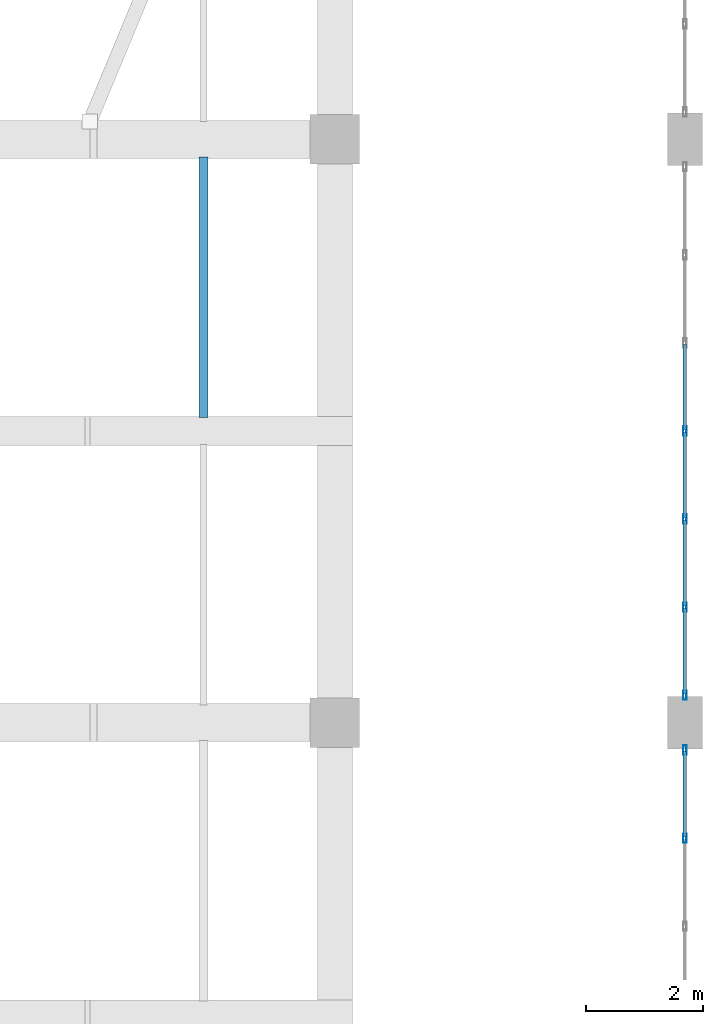
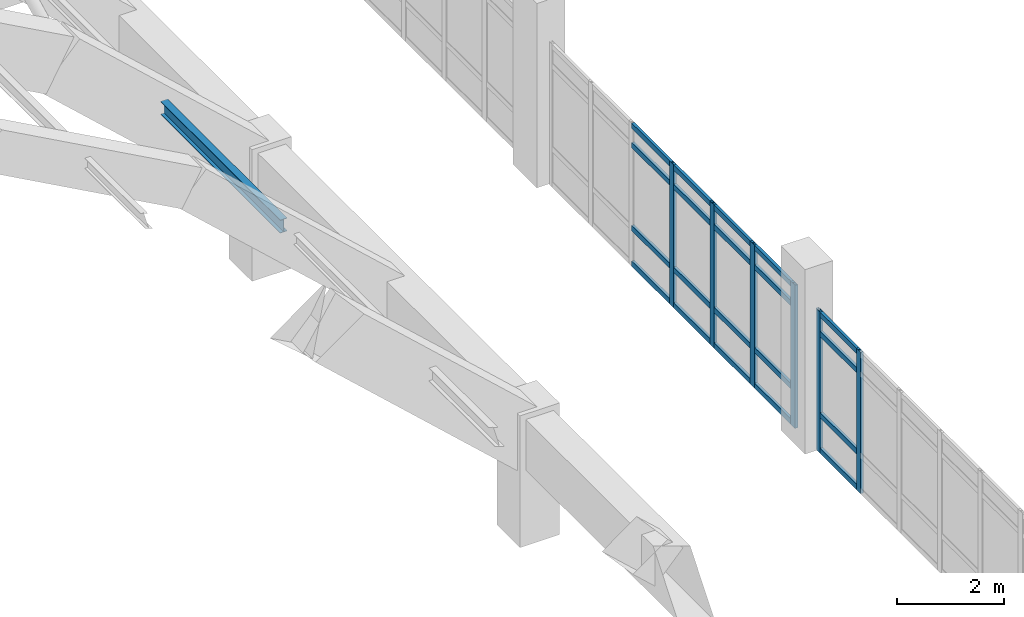
# One storey, part 81 of 111: 27 members, 2 elements without a shape of their own.
"""IFC4 building model written with IfcOpenShell, lengths in metres."""

from ifc_helpers import new_model, si_unit, direction, frame, origin, origin_2d, place, context, subcontext, project, spatial, hollow_rectangle, i_section, extrude, material, layer, layer_set, material_profile, profile_set, type_object, element, aggregate, save


model = new_model("IFC4")

# Units and contexts
model_context = context("Model", 3, precision=1e-05, world=origin(), true_north=direction((0.0, 1.0)))
body_context = subcontext(model_context, "Body", "Model", "MODEL_VIEW")
ifc_project = project(units=[si_unit("LENGTHUNIT", "METRE"), si_unit("AREAUNIT", "SQUARE_METRE"), si_unit("VOLUMEUNIT", "CUBIC_METRE"), si_unit("PLANEANGLEUNIT", "RADIAN"), si_unit("MASSUNIT", "GRAM", prefix="KILO")], contexts=[model_context])

# Site, building, storey
site_placement = place(None, origin())
site = spatial("IfcSite", under=ifc_project, at=site_placement, CompositionType="ELEMENT")
building_placement = place(site_placement, origin())
building = spatial("IfcBuilding", under=site, at=building_placement, Name="Mersad Railyard Sports Hall", CompositionType="ELEMENT")
storey_placement = place(building_placement, frame((0.0, 0.0, 9.0)))
storey = spatial("IfcBuildingStorey", under=building, at=storey_placement, Name="L02", CompositionType="ELEMENT", Elevation=9.0)

# Curtain wall, members
ifc_material_1 = material(Name="Aluminium 6063-T6", Category="aluminium")
ifc_layer_1 = layer(ifc_material_1, 0.159912109375)
ifc_layer_set_1 = layer_set([ifc_layer_1], Name="Aluminium 6063-T6")
curtain_wall_type_1 = type_object("IfcCurtainWallType", Name="ARC-CW-CW15", PredefinedType="USERDEFINED", material=ifc_layer_set_1)
curtain_wall_1_placement = place(storey_placement, origin())
curtain_wall_1 = element("IfcCurtainWall", 1, at=curtain_wall_1_placement, inside=storey, type_object=curtain_wall_type_1, Name="Curtain wall CW15-0053", ObjectType="CURTAIN WALL", PredefinedType="USERDEFINED")
ifc_material_profile_1 = material_profile(ifc_material_1, hollow_rectangle(XDim=0.06005859375, YDim=0.159912109375, WallThickness=0.00390625, at=origin_2d()), Name="AL MULLION 60x160x4")
ifc_profile_set_1 = profile_set([ifc_material_profile_1], Name="Aluminium 6063-T6")
member_type_1 = type_object("IfcMemberType", Name="ARC-CW-MUL01", PredefinedType="MULLION", material=ifc_profile_set_1)
member_1_placement = place(storey_placement, frame((179.0, 53.030029296875, -0.02001953125), z_axis=(0.0, 0.0, 1.0), x_axis=(1.0, 0.0, 0.0)))
member_1 = element("IfcMember", 2, at=member_1_placement, type_object=member_type_1, Name="CW15 Mullion 1", PredefinedType="MULLION", context=body_context, shape_type="SweptSolid", body=[
    extrude(hollow_rectangle(XDim=0.06005859375, YDim=0.159912109375, WallThickness=0.00390625, at=origin_2d()), origin(), (0.0, 0.0, 1.0), 3.219970703125),
])
member_2_placement = place(storey_placement, frame((179.0, 51.52001953125, -0.02001953125), z_axis=(0.0, 0.0, 1.0), x_axis=(1.0, 0.0, 0.0)))
member_2 = element("IfcMember", 3, at=member_2_placement, type_object=member_type_1, Name="CW15 Mullion 2", PredefinedType="MULLION", context=body_context, shape_type="SweptSolid", body=[
    extrude(hollow_rectangle(XDim=0.06005859375, YDim=0.159912109375, WallThickness=0.00390625, at=origin_2d()), origin(), (0.0, 0.0, 1.0), 3.219970703125),
])

ifc_layer_2 = layer(ifc_material_1, 0.159912109375)
ifc_layer_set_2 = layer_set([ifc_layer_2], Name="Aluminium 6063-T6")
curtain_wall_type_2 = type_object("IfcCurtainWallType", Name="ARC-CW-CW16", PredefinedType="USERDEFINED", material=ifc_layer_set_2)
curtain_wall_2_placement = place(storey_placement, origin())
curtain_wall_2 = element("IfcCurtainWall", 4, at=curtain_wall_2_placement, inside=storey, type_object=curtain_wall_type_2, Name="Curtain wall CW16-0055", ObjectType="CURTAIN WALL", PredefinedType="USERDEFINED")
member_3_placement = place(storey_placement, frame((179.0, 58.5, -0.02001953125), z_axis=(0.0, 0.0, 1.0), x_axis=(1.0, 0.0, 0.0)))
member_3 = element("IfcMember", 5, at=member_3_placement, type_object=member_type_1, Name="CW16 Mullion 4", PredefinedType="MULLION", context=body_context, shape_type="SweptSolid", body=[
    extrude(hollow_rectangle(XDim=0.06005859375, YDim=0.159912109375, WallThickness=0.00390625, at=origin_2d()), origin(), (0.0, 0.0, 1.0), 3.260009765625),
])
member_4_placement = place(storey_placement, frame((179.0, 56.989990234375, -0.02001953125), z_axis=(0.0, 0.0, 1.0), x_axis=(1.0, 0.0, 0.0)))
member_4 = element("IfcMember", 6, at=member_4_placement, type_object=member_type_1, Name="CW16 Mullion 5", PredefinedType="MULLION", context=body_context, shape_type="SweptSolid", body=[
    extrude(hollow_rectangle(XDim=0.06005859375, YDim=0.159912109375, WallThickness=0.00390625, at=origin_2d()), origin(), (0.0, 0.0, 1.0), 3.260009765625),
])
member_5_placement = place(storey_placement, frame((179.0, 55.47998046875, -0.02001953125), z_axis=(0.0, 0.0, 1.0), x_axis=(1.0, 0.0, 0.0)))
member_5 = element("IfcMember", 7, at=member_5_placement, type_object=member_type_1, Name="CW16 Mullion 6", PredefinedType="MULLION", context=body_context, shape_type="SweptSolid", body=[
    extrude(hollow_rectangle(XDim=0.06005859375, YDim=0.159912109375, WallThickness=0.00390625, at=origin_2d()), origin(), (0.0, 0.0, 1.0), 3.260009765625),
])
member_6_placement = place(storey_placement, frame((179.0, 53.969970703125, -0.02001953125), z_axis=(0.0, 0.0, 1.0), x_axis=(1.0, 0.0, 0.0)))
member_6 = element("IfcMember", 8, at=member_6_placement, type_object=member_type_1, Name="CW16 Mullion 7", PredefinedType="MULLION", context=body_context, shape_type="SweptSolid", body=[
    extrude(hollow_rectangle(XDim=0.06005859375, YDim=0.159912109375, WallThickness=0.00390625, at=origin_2d()), origin(), (0.0, 0.0, 1.0), 3.260009765625),
])

# Member
ifc_material_profile_2 = material_profile(ifc_material_1, hollow_rectangle(XDim=0.06005859375, YDim=0.1201171875, WallThickness=0.00390625, at=origin_2d()), Name="AL TRANSOM 60x120x4")
ifc_profile_set_2 = profile_set([ifc_material_profile_2], Name="Aluminium 6063-T6")
member_type_2 = type_object("IfcMemberType", Name="ARC-CW-TRN01", PredefinedType="USERDEFINED", material=ifc_profile_set_2)
member_7_placement = place(storey_placement, frame((179.0, 53.010009765625, 0.0400390625), z_axis=(0.0, -1.0, 0.0), x_axis=(1.0, 0.0, 0.0)))
member_7 = element("IfcMember", 9, at=member_7_placement, type_object=member_type_2, Name="CW15 Transom 1-1", ObjectType="TRANSOM", PredefinedType="USERDEFINED", context=body_context, shape_type="SweptSolid", body=[
    extrude(hollow_rectangle(XDim=0.06005859375, YDim=0.1201171875, WallThickness=0.00390625, at=origin_2d()), origin(), (0.0, 0.0, 1.0), 1.469970703125),
])

member_8_placement = place(storey_placement, frame((179.0, 53.010009765625, 0.85009765625), z_axis=(0.0, -1.0, 0.0), x_axis=(1.0, 0.0, 0.0)))
member_8 = element("IfcMember", 10, at=member_8_placement, type_object=member_type_2, Name="CW15 Transom 2-1", ObjectType="TRANSOM", PredefinedType="USERDEFINED", context=body_context, shape_type="SweptSolid", body=[
    extrude(hollow_rectangle(XDim=0.06005859375, YDim=0.1201171875, WallThickness=0.00390625, at=origin_2d()), origin(), (0.0, 0.0, 1.0), 1.469970703125),
])

member_9_placement = place(storey_placement, frame((179.0, 53.010009765625, 2.699951171875), z_axis=(0.0, -1.0, 0.0), x_axis=(1.0, 0.0, 0.0)))
member_9 = element("IfcMember", 11, at=member_9_placement, type_object=member_type_2, Name="CW15 Transom 3-1", ObjectType="TRANSOM", PredefinedType="USERDEFINED", context=body_context, shape_type="SweptSolid", body=[
    extrude(hollow_rectangle(XDim=0.06005859375, YDim=0.1201171875, WallThickness=0.00390625, at=origin_2d()), origin(), (0.0, 0.0, 1.0), 1.469970703125),
])

member_10_placement = place(storey_placement, frame((179.0, 53.010009765625, 3.139892578125), z_axis=(0.0, -1.0, 0.0), x_axis=(1.0, 0.0, 0.0)))
member_10 = element("IfcMember", 12, at=member_10_placement, type_object=member_type_2, Name="CW15 Transom 4-1", ObjectType="TRANSOM", PredefinedType="USERDEFINED", context=body_context, shape_type="SweptSolid", body=[
    extrude(hollow_rectangle(XDim=0.06005859375, YDim=0.1201171875, WallThickness=0.00390625, at=origin_2d()), origin(), (0.0, 0.0, 1.0), 1.469970703125),
])

aggregate(curtain_wall_1, [member_1, member_2, member_7, member_8, member_9, member_10])

member_11_placement = place(storey_placement, frame((179.0, 59.989990234375, 0.0400390625), z_axis=(0.0, -1.0, 0.0), x_axis=(1.0, 0.0, 0.0)))
member_11 = element("IfcMember", 13, at=member_11_placement, type_object=member_type_2, Name="CW16 Transom 1-3", ObjectType="TRANSOM", PredefinedType="USERDEFINED", context=body_context, shape_type="SweptSolid", body=[
    extrude(hollow_rectangle(XDim=0.06005859375, YDim=0.1201171875, WallThickness=0.00390625, at=origin_2d()), origin(), (0.0, 0.0, 1.0), 1.469970703125),
])

member_12_placement = place(storey_placement, frame((179.0, 58.47998046875, 0.0400390625), z_axis=(0.0, -1.0, 0.0), x_axis=(1.0, 0.0, 0.0)))
member_12 = element("IfcMember", 14, at=member_12_placement, type_object=member_type_2, Name="CW16 Transom 1-4", ObjectType="TRANSOM", PredefinedType="USERDEFINED", context=body_context, shape_type="SweptSolid", body=[
    extrude(hollow_rectangle(XDim=0.06005859375, YDim=0.1201171875, WallThickness=0.00390625, at=origin_2d()), origin(), (0.0, 0.0, 1.0), 1.469970703125),
])

member_13_placement = place(storey_placement, frame((179.0, 56.969970703125, 0.0400390625), z_axis=(0.0, -1.0, 0.0), x_axis=(1.0, 0.0, 0.0)))
member_13 = element("IfcMember", 15, at=member_13_placement, type_object=member_type_2, Name="CW16 Transom 1-5", ObjectType="TRANSOM", PredefinedType="USERDEFINED", context=body_context, shape_type="SweptSolid", body=[
    extrude(hollow_rectangle(XDim=0.06005859375, YDim=0.1201171875, WallThickness=0.00390625, at=origin_2d()), origin(), (0.0, 0.0, 1.0), 1.469970703125),
])

member_14_placement = place(storey_placement, frame((179.0, 55.4599609375, 0.0400390625), z_axis=(0.0, -1.0, 0.0), x_axis=(1.0, 0.0, 0.0)))
member_14 = element("IfcMember", 16, at=member_14_placement, type_object=member_type_2, Name="CW16 Transom 1-6", ObjectType="TRANSOM", PredefinedType="USERDEFINED", context=body_context, shape_type="SweptSolid", body=[
    extrude(hollow_rectangle(XDim=0.06005859375, YDim=0.1201171875, WallThickness=0.00390625, at=origin_2d()), origin(), (0.0, 0.0, 1.0), 1.469970703125),
])

member_15_placement = place(storey_placement, frame((179.0, 59.989990234375, 0.85009765625), z_axis=(0.0, -1.0, 0.0), x_axis=(1.0, 0.0, 0.0)))
member_15 = element("IfcMember", 17, at=member_15_placement, type_object=member_type_2, Name="CW16 Transom 2-3", ObjectType="TRANSOM", PredefinedType="USERDEFINED", context=body_context, shape_type="SweptSolid", body=[
    extrude(hollow_rectangle(XDim=0.06005859375, YDim=0.1201171875, WallThickness=0.00390625, at=origin_2d()), origin(), (0.0, 0.0, 1.0), 1.469970703125),
])

member_16_placement = place(storey_placement, frame((179.0, 58.47998046875, 0.85009765625), z_axis=(0.0, -1.0, 0.0), x_axis=(1.0, 0.0, 0.0)))
member_16 = element("IfcMember", 18, at=member_16_placement, type_object=member_type_2, Name="CW16 Transom 2-4", ObjectType="TRANSOM", PredefinedType="USERDEFINED", context=body_context, shape_type="SweptSolid", body=[
    extrude(hollow_rectangle(XDim=0.06005859375, YDim=0.1201171875, WallThickness=0.00390625, at=origin_2d()), origin(), (0.0, 0.0, 1.0), 1.469970703125),
])

member_17_placement = place(storey_placement, frame((179.0, 56.969970703125, 0.85009765625), z_axis=(0.0, -1.0, 0.0), x_axis=(1.0, 0.0, 0.0)))
member_17 = element("IfcMember", 19, at=member_17_placement, type_object=member_type_2, Name="CW16 Transom 2-5", ObjectType="TRANSOM", PredefinedType="USERDEFINED", context=body_context, shape_type="SweptSolid", body=[
    extrude(hollow_rectangle(XDim=0.06005859375, YDim=0.1201171875, WallThickness=0.00390625, at=origin_2d()), origin(), (0.0, 0.0, 1.0), 1.469970703125),
])

member_18_placement = place(storey_placement, frame((179.0, 55.4599609375, 0.85009765625), z_axis=(0.0, -1.0, 0.0), x_axis=(1.0, 0.0, 0.0)))
member_18 = element("IfcMember", 20, at=member_18_placement, type_object=member_type_2, Name="CW16 Transom 2-6", ObjectType="TRANSOM", PredefinedType="USERDEFINED", context=body_context, shape_type="SweptSolid", body=[
    extrude(hollow_rectangle(XDim=0.06005859375, YDim=0.1201171875, WallThickness=0.00390625, at=origin_2d()), origin(), (0.0, 0.0, 1.0), 1.469970703125),
])

member_19_placement = place(storey_placement, frame((179.0, 59.989990234375, 2.739990234375), z_axis=(0.0, -1.0, 0.0), x_axis=(1.0, 0.0, 0.0)))
member_19 = element("IfcMember", 21, at=member_19_placement, type_object=member_type_2, Name="CW16 Transom 3-3", ObjectType="TRANSOM", PredefinedType="USERDEFINED", context=body_context, shape_type="SweptSolid", body=[
    extrude(hollow_rectangle(XDim=0.06005859375, YDim=0.1201171875, WallThickness=0.00390625, at=origin_2d()), origin(), (0.0, 0.0, 1.0), 1.469970703125),
])

member_20_placement = place(storey_placement, frame((179.0, 58.47998046875, 2.739990234375), z_axis=(0.0, -1.0, 0.0), x_axis=(1.0, 0.0, 0.0)))
member_20 = element("IfcMember", 22, at=member_20_placement, type_object=member_type_2, Name="CW16 Transom 3-4", ObjectType="TRANSOM", PredefinedType="USERDEFINED", context=body_context, shape_type="SweptSolid", body=[
    extrude(hollow_rectangle(XDim=0.06005859375, YDim=0.1201171875, WallThickness=0.00390625, at=origin_2d()), origin(), (0.0, 0.0, 1.0), 1.469970703125),
])

member_21_placement = place(storey_placement, frame((179.0, 56.969970703125, 2.739990234375), z_axis=(0.0, -1.0, 0.0), x_axis=(1.0, 0.0, 0.0)))
member_21 = element("IfcMember", 23, at=member_21_placement, type_object=member_type_2, Name="CW16 Transom 3-5", ObjectType="TRANSOM", PredefinedType="USERDEFINED", context=body_context, shape_type="SweptSolid", body=[
    extrude(hollow_rectangle(XDim=0.06005859375, YDim=0.1201171875, WallThickness=0.00390625, at=origin_2d()), origin(), (0.0, 0.0, 1.0), 1.469970703125),
])

member_22_placement = place(storey_placement, frame((179.0, 55.4599609375, 2.739990234375), z_axis=(0.0, -1.0, 0.0), x_axis=(1.0, 0.0, 0.0)))
member_22 = element("IfcMember", 24, at=member_22_placement, type_object=member_type_2, Name="CW16 Transom 3-6", ObjectType="TRANSOM", PredefinedType="USERDEFINED", context=body_context, shape_type="SweptSolid", body=[
    extrude(hollow_rectangle(XDim=0.06005859375, YDim=0.1201171875, WallThickness=0.00390625, at=origin_2d()), origin(), (0.0, 0.0, 1.0), 1.469970703125),
])

member_23_placement = place(storey_placement, frame((179.0, 59.989990234375, 3.179931640625), z_axis=(0.0, -1.0, 0.0), x_axis=(1.0, 0.0, 0.0)))
member_23 = element("IfcMember", 25, at=member_23_placement, type_object=member_type_2, Name="CW16 Transom 4-3", ObjectType="TRANSOM", PredefinedType="USERDEFINED", context=body_context, shape_type="SweptSolid", body=[
    extrude(hollow_rectangle(XDim=0.06005859375, YDim=0.1201171875, WallThickness=0.00390625, at=origin_2d()), origin(), (0.0, 0.0, 1.0), 1.469970703125),
])

member_24_placement = place(storey_placement, frame((179.0, 58.47998046875, 3.179931640625), z_axis=(0.0, -1.0, 0.0), x_axis=(1.0, 0.0, 0.0)))
member_24 = element("IfcMember", 26, at=member_24_placement, type_object=member_type_2, Name="CW16 Transom 4-4", ObjectType="TRANSOM", PredefinedType="USERDEFINED", context=body_context, shape_type="SweptSolid", body=[
    extrude(hollow_rectangle(XDim=0.06005859375, YDim=0.1201171875, WallThickness=0.00390625, at=origin_2d()), origin(), (0.0, 0.0, 1.0), 1.469970703125),
])

member_25_placement = place(storey_placement, frame((179.0, 56.969970703125, 3.179931640625), z_axis=(0.0, -1.0, 0.0), x_axis=(1.0, 0.0, 0.0)))
member_25 = element("IfcMember", 27, at=member_25_placement, type_object=member_type_2, Name="CW16 Transom 4-5", ObjectType="TRANSOM", PredefinedType="USERDEFINED", context=body_context, shape_type="SweptSolid", body=[
    extrude(hollow_rectangle(XDim=0.06005859375, YDim=0.1201171875, WallThickness=0.00390625, at=origin_2d()), origin(), (0.0, 0.0, 1.0), 1.469970703125),
])

member_26_placement = place(storey_placement, frame((179.0, 55.4599609375, 3.179931640625), z_axis=(0.0, -1.0, 0.0), x_axis=(1.0, 0.0, 0.0)))
member_26 = element("IfcMember", 28, at=member_26_placement, type_object=member_type_2, Name="CW16 Transom 4-6", ObjectType="TRANSOM", PredefinedType="USERDEFINED", context=body_context, shape_type="SweptSolid", body=[
    extrude(hollow_rectangle(XDim=0.06005859375, YDim=0.1201171875, WallThickness=0.00390625, at=origin_2d()), origin(), (0.0, 0.0, 1.0), 1.469970703125),
])

aggregate(curtain_wall_2, [member_3, member_4, member_5, member_6, member_11, member_12, member_13, member_14, member_15, member_16, member_17, member_18, member_19, member_20, member_21, member_22, member_23, member_24, member_25, member_26])

ifc_material_2 = material(Name="Steel S355", Category="steel")
ifc_material_profile_3 = material_profile(ifc_material_2, i_section(OverallWidth=0.14990234375, OverallDepth=0.300048828125, WebThickness=0.007080078125, FlangeThickness=0.0107421875, at=origin_2d()), Name="IPE 300")
ifc_profile_set_3 = profile_set([ifc_material_profile_3], Name="Steel S355")
member_type_3 = type_object("IfcMemberType", Name="STR-MEM-PU02", PredefinedType="PURLIN", material=ifc_profile_set_3)
member_27_placement = place(storey_placement, frame((170.75, 58.72998046875, 4.546142578125), z_axis=(0.0, 1.0, 0.0), x_axis=(-1.0, 0.0, 0.0)))
element("IfcMember", 29, at=member_27_placement, inside=storey, type_object=member_type_3, Name="Structural member PU02-0193", PredefinedType="PURLIN", context=body_context, shape_type="SweptSolid", body=[
    extrude(i_section(OverallWidth=0.14990234375, OverallDepth=0.300048828125, WebThickness=0.007080078125, FlangeThickness=0.0107421875, at=origin_2d()), origin(), (0.0, 0.0, 1.0), 4.465087890625),
])

save(model, "model.ifc")
